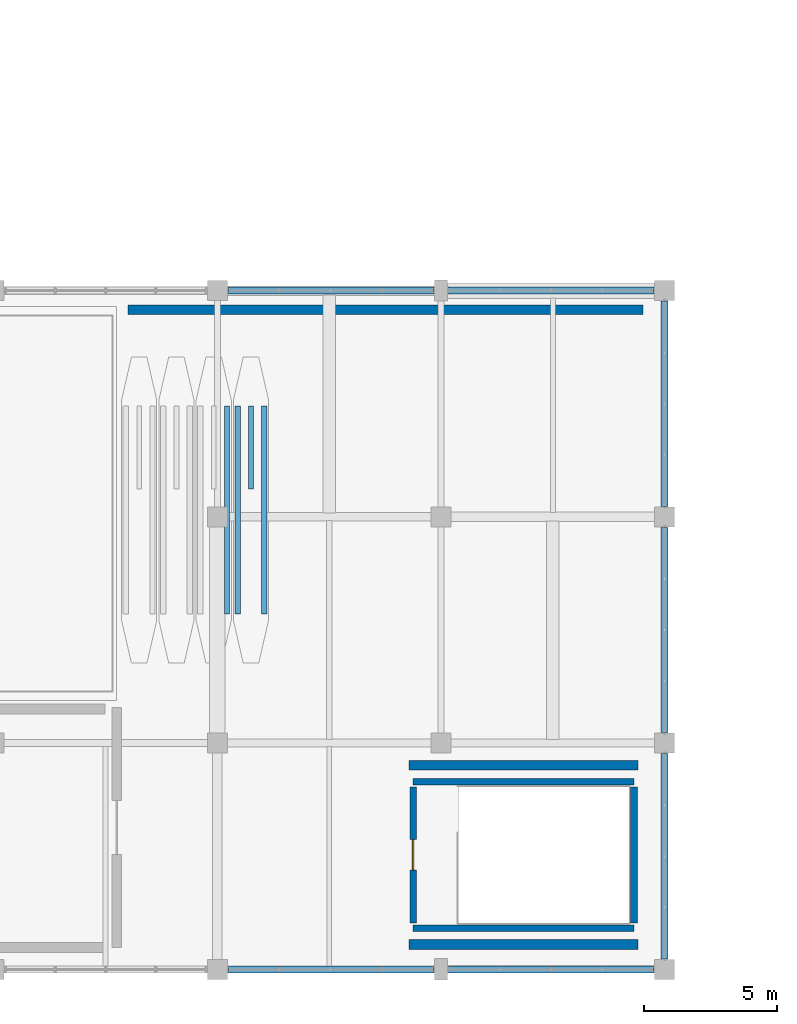
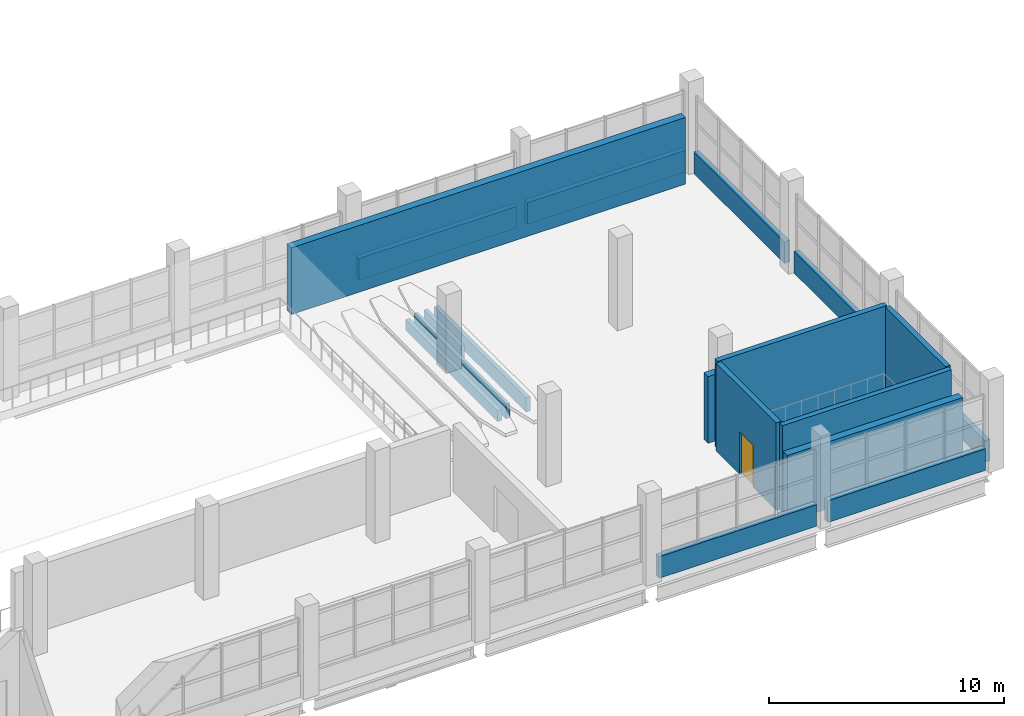
# One storey, part 64 of 77: 18 walls, 1 door, 1 opening.
"""IFC4 building model written with IfcOpenShell, lengths in metres."""

import ifcopenshell
import ifcopenshell.guid

model = None  # the IFC model being written
_history = None  # IfcOwnerHistory: only IFC2X3 demands one
_inside = {}  # id of a spatial element -> (the spatial element, [elements in it])
_under = {}  # id of a project, library or spatial element -> (it, [spatial elements below it])
_declared = {}  # id of a project -> (the project, [libraries it declares])
_typed = {}  # id of a type object -> (the type object, [elements of that type])
_made_of = {}  # id of a material, layer set ... -> (it, [elements and type objects made of it])


def new_model(schema):
    """Start an empty IFC model of exactly this schema.

    Asked for "IFC4X3", IfcOpenShell would pick the latest addendum, in which some entities
    have other attributes; the version numbers below select the first issue.
    IFC2X3 requires an IfcOwnerHistory on every rooted entity: one is made here for all.
    """
    global model, _history
    if schema == "IFC4X3":
        model = ifcopenshell.file(schema_version=(4, 3, 0, 0))
    else:
        model = ifcopenshell.file(schema=schema)
    _inside.clear()
    _under.clear()
    _declared.clear()
    _typed.clear()
    _made_of.clear()
    _history = None
    if model.schema == "IFC2X3":
        org = make("IfcOrganization", Name="unknown")
        user = make(
            "IfcPersonAndOrganization",
            ThePerson=make("IfcPerson", FamilyName="unknown"),
            TheOrganization=org,
        )
        app = make(
            "IfcApplication",
            ApplicationDeveloper=org,
            Version="unknown",
            ApplicationFullName="unknown",
            ApplicationIdentifier="unknown",
        )
        _history = make(
            "IfcOwnerHistory",
            OwningUser=user,
            OwningApplication=app,
            ChangeAction="ADDED",
            CreationDate=0,
        )
    return model


def make(cls, **values):
    """One entity of the class cls with the attributes given. An attribute that is None is left unset."""
    return model.create_entity(
        cls, **{name: value for name, value in values.items() if value is not None}
    )


def rooted(cls, **values):
    """An entity with a GlobalId (a new one), such as an element, a storey or a relation."""
    return make(cls, GlobalId=ifcopenshell.guid.new(), OwnerHistory=_history, **values)


def si_unit(unit_type, name, prefix=None):
    """IfcSIUnit, for example si_unit("LENGTHUNIT", "METRE", prefix="MILLI")."""
    return make("IfcSIUnit", UnitType=unit_type, Prefix=prefix, Name=name)


def assignment(units):
    """IfcUnitAssignment: the units of a project."""
    return None if units is None else make("IfcUnitAssignment", Units=units)


def point(xyz):
    """IfcCartesianPoint."""
    return None if xyz is None else make("IfcCartesianPoint", Coordinates=xyz)


def direction(xyz):
    """IfcDirection."""
    return None if xyz is None else make("IfcDirection", DirectionRatios=xyz)


def frame(location, z_axis=None, x_axis=None):
    """IfcAxis2Placement3D, a coordinate frame: its origin and axes. An axis left out is left unset."""
    return make(
        "IfcAxis2Placement3D",
        Location=point(location),
        Axis=direction(z_axis),
        RefDirection=direction(x_axis),
    )


def frame_2d(location, x_axis=None):
    """IfcAxis2Placement2D, a coordinate frame in the plane: its origin and x axis."""
    return make(
        "IfcAxis2Placement2D", Location=point(location), RefDirection=direction(x_axis)
    )


def origin():
    """The frame at (0, 0, 0) with its axes left unset."""
    return frame((0.0, 0.0, 0.0))


def place(relative_to, where):
    """IfcLocalPlacement: puts the frame where relative to a parent placement (None: the world)."""
    return make(
        "IfcLocalPlacement", PlacementRelTo=relative_to, RelativePlacement=where
    )


def context(
    kind, dimensions, precision=None, world=None, true_north=None, identifier=None
):
    """IfcGeometricRepresentationContext, for example the 3D "Model" context."""
    return make(
        "IfcGeometricRepresentationContext",
        ContextIdentifier=identifier,
        ContextType=kind,
        CoordinateSpaceDimension=dimensions,
        Precision=precision,
        WorldCoordinateSystem=world,
        TrueNorth=true_north,
    )


def subcontext(parent, identifier, kind, view, scale=None):
    """IfcGeometricRepresentationSubContext, for example "Body" below "Model"."""
    return make(
        "IfcGeometricRepresentationSubContext",
        ContextIdentifier=identifier,
        ContextType=kind,
        ParentContext=parent,
        TargetScale=scale,
        TargetView=view,
    )


def project(units=None, contexts=None):
    """IfcProject with its units and contexts."""
    return rooted(
        "IfcProject",
        Name="project",
        RepresentationContexts=contexts,
        UnitsInContext=assignment(units),
    )


def spatial(cls, under=None, at=None, **own):
    """A site, building, storey or space (cls), placed at a placement, below another one or the project."""
    s = rooted(cls, ObjectPlacement=at, **own)
    if under is not None:
        _under.setdefault(under.id(), (under, []))[1].append(s)
    return s


def profile(cls, at=None, kind="AREA", **sizes):
    """A parametric profile (cls). Its sizes go by their IFC names, for example OverallWidth=200.0."""
    return make(cls, ProfileType=kind, Position=at, **sizes)


def rectangle(**sizes):
    """IfcRectangleProfileDef."""
    return profile("IfcRectangleProfileDef", **sizes)


def extrude(swept, where, along, depth):
    """IfcExtrudedAreaSolid: the profile swept, set in the frame where, extruded along a direction by depth."""
    return make(
        "IfcExtrudedAreaSolid",
        SweptArea=swept,
        Position=where,
        ExtrudedDirection=direction(along),
        Depth=depth,
    )


def shape(context_of_items, identifier, shape_type, items):
    """IfcShapeRepresentation: the items that make up one representation, for example the "Body"."""
    return make(
        "IfcShapeRepresentation",
        ContextOfItems=context_of_items,
        RepresentationIdentifier=identifier,
        RepresentationType=shape_type,
        Items=items,
    )


def material(Name=None, Category=None):
    """IfcMaterial."""
    return make("IfcMaterial", Name=Name, Category=Category)


def layer(
    of_material, thickness, ventilated=None, Name=None, Category=None, Priority=None
):
    """IfcMaterialLayer: one layer of a wall or slab, of a material (None: an air gap)."""
    return make(
        "IfcMaterialLayer",
        Material=of_material,
        LayerThickness=thickness,
        IsVentilated=ventilated,
        Name=Name,
        Category=Category,
        Priority=Priority,
    )


def layer_set(layers, Name=None):
    """IfcMaterialLayerSet."""
    return make("IfcMaterialLayerSet", MaterialLayers=layers, LayerSetName=Name)


def made_of(thing, what):
    """Note that an element or type object is made of a material, layer set ...; save() writes the relation."""
    if what is not None:
        _made_of.setdefault(what.id(), (what, []))[1].append(thing)
    return thing


def type_object(cls, material=None, **own):
    """A type object (cls), such as IfcWallType, which elements share."""
    return made_of(rooted(cls, **own), material)


def element(
    cls,
    number,
    at=None,
    inside=None,
    cuts=None,
    type_object=None,
    material=None,
    context=None,
    identifier="Body",
    shape_type=None,
    held_by="IfcProductDefinitionShape",
    body=None,
    shapes=None,
    **own,
):
    """One element of the class cls, such as IfcWall. Its Tag is "e" and its number.

    at: its placement. inside: the storey or other place that contains it. cuts: it is an
    opening in that element (IfcRelVoidsElement). A single representation is given by context,
    identifier, shape_type and body (its items); several are given by shapes. held_by: the class
    of the entity that holds the representations. save() writes the other relations.
    """
    e = rooted(cls, Tag="e%d" % number, ObjectPlacement=at, **own)
    if body is not None:
        shapes = [shape(context, identifier, shape_type, body)]
    if shapes is not None:
        e.Representation = make(held_by, Representations=shapes)
    if inside is not None:
        _inside.setdefault(inside.id(), (inside, []))[1].append(e)
    if cuts is not None:
        rooted(
            "IfcRelVoidsElement", RelatingBuildingElement=cuts, RelatedOpeningElement=e
        )
    if type_object is not None:
        _typed.setdefault(type_object.id(), (type_object, []))[1].append(e)
    return made_of(e, material)


def fill(opening, filler):
    """IfcRelFillsElement: the door or window that sits in an opening."""
    return rooted(
        "IfcRelFillsElement",
        RelatingOpeningElement=opening,
        RelatedBuildingElement=filler,
    )


def aggregate(whole, parts):
    """IfcRelAggregates: a whole, such as a stair, and the parts it consists of."""
    return rooted("IfcRelAggregates", RelatingObject=whole, RelatedObjects=parts)


def save(model, path):
    """Write the relations noted so far, then the file.

    IfcRelAggregates (storeys below a building ...), IfcRelContainedInSpatialStructure (elements
    in a storey), IfcRelDefinesByType, IfcRelAssociatesMaterial and IfcRelDeclares: one each for
    every whole, place, type object, material and project.
    """
    for whole, parts in _under.values():
        aggregate(whole, parts)
    for where, things in _inside.values():
        rooted(
            "IfcRelContainedInSpatialStructure",
            RelatedElements=things,
            RelatingStructure=where,
        )
    for kind, things in _typed.values():
        rooted("IfcRelDefinesByType", RelatedObjects=things, RelatingType=kind)
    for what, things in _made_of.values():
        rooted("IfcRelAssociatesMaterial", RelatedObjects=things, RelatingMaterial=what)
    for by, libraries in _declared.values():
        rooted("IfcRelDeclares", RelatingContext=by, RelatedDefinitions=libraries)
    model.write(path)


model = new_model("IFC4")

# Units and contexts
model_context = context("Model", 3, precision=1e-05, world=origin(), true_north=direction((0.0, 1.0)))
body_context = subcontext(model_context, "Body", "Model", "MODEL_VIEW")
ifc_project = project(units=[si_unit("LENGTHUNIT", "METRE"), si_unit("AREAUNIT", "SQUARE_METRE"), si_unit("VOLUMEUNIT", "CUBIC_METRE"), si_unit("PLANEANGLEUNIT", "RADIAN"), si_unit("MASSUNIT", "GRAM", prefix="KILO")], contexts=[model_context])

# Site, building, storey
site_placement = place(None, origin())
site = spatial("IfcSite", under=ifc_project, at=site_placement, CompositionType="ELEMENT")
building_placement = place(site_placement, origin())
building = spatial("IfcBuilding", under=site, at=building_placement, Name="Solvento Point Concert Hall", CompositionType="ELEMENT")
storey_placement = place(building_placement, frame((0.0, 0.0, 10.199951171875)))
storey = spatial("IfcBuildingStorey", under=building, at=storey_placement, Name="L02", CompositionType="ELEMENT", Elevation=10.199951171875)

# Walls
ifc_material_1 = material(Name="Acoustic Double-Stud Gypsum Partition")
ifc_layer_1 = layer(ifc_material_1, 0.364990234375)
ifc_layer_set_1 = layer_set([ifc_layer_1], Name="Acoustic Double-Stud Gypsum Partition")
wall_type_1 = type_object("IfcWallType", Name="AcousticPartition_365", PredefinedType="PARTITIONING", material=ifc_layer_set_1)
wall_1_placement = place(storey_placement, frame((188.64111328125, 24.780029296875, 0.0), z_axis=(0.0, 0.0, 1.0), x_axis=(1.0, 0.0, 0.0)))
element("IfcWall", 1, at=wall_1_placement, inside=storey, type_object=wall_type_1, Name="Interior acoustic partition PW-43 L02", PredefinedType="PARTITIONING", context=body_context, shape_type="SweptSolid", body=[
    extrude(rectangle(XDim=19.3388671875, YDim=0.364990234375, at=frame_2d((9.66943359375, 0.0))), origin(), (0.0, 0.0, 1.0), 3.4599609375),
])
for number, where, z_axis, x_axis, name in (
    (2, (207.800537109375, 7.669921875, 0.0), (0.0, 0.0, 1.0), (-1.0, 0.0, 0.0), "Interior acoustic partition PW-43 L02"),
    (3, (199.199462890625, 0.929931640625, 0.0), (0.0, 0.0, 1.0), (1.0, 0.0, 0.0), "Interior acoustic partition PW-43 L02"),
):
    element("IfcWall", number, at=place(storey_placement, frame(where, z_axis=z_axis, x_axis=x_axis)), inside=storey, type_object=wall_type_1, Name=name, PredefinedType="PARTITIONING", context=body_context, shape_type="SweptSolid", body=[
        extrude(rectangle(XDim=8.60107421875, YDim=0.364990234375, at=frame_2d((4.300537109375, 0.0))), origin(), (0.0, 0.0, 1.0), 3.4599609375),
    ])
ifc_material_2 = material(Name="Concrete C40/50", Category="concrete")
ifc_layer_2 = layer(ifc_material_2, 0.300048828125)
ifc_layer_set_2 = layer_set([ifc_layer_2], Name="Concrete C40/50")
wall_type_2 = type_object("IfcWallType", Name="CoreShearWall_300", PredefinedType="SHEAR", material=ifc_layer_set_2)
for number, where, z_axis, x_axis, name in (
    (4, (207.64990234375, 1.550048828125, 0.0), (0.0, 0.0, 1.0), (-1.0, 0.0, 0.0), "Stair core shear wall W-SH1 ST-09 L02"),
    (5, (199.35009765625, 7.050048828125, 0.0), (0.0, 0.0, 1.0), (1.0, 0.0, 0.0), "Stair core shear wall W-SH1 ST-09 L02"),
):
    element("IfcWall", number, at=place(storey_placement, frame(where, z_axis=z_axis, x_axis=x_axis)), inside=storey, type_object=wall_type_2, Name=name, PredefinedType="SHEAR", context=body_context, shape_type="SweptSolid", body=[
        extrude(rectangle(XDim=8.2998046875, YDim=0.25, at=frame_2d((4.14990234375, 0.0))), origin(), (0.0, 0.0, 1.0), 4.5400390625),
    ])

# Wall, opening, door
wall_2_placement = place(storey_placement, frame((199.35009765625, 1.75, 0.0), z_axis=(0.0, 0.0, 1.0), x_axis=(0.0, 1.0, 0.0)))
wall_2 = element("IfcWall", 6, at=wall_2_placement, inside=storey, type_object=wall_type_2, Name="Stair core shear wall W-SH1 ST-09 L02", PredefinedType="SHEAR", context=body_context, shape_type="SweptSolid", body=[
    extrude(rectangle(XDim=5.10009765625, YDim=0.25, at=frame_2d((2.550048828125, 0.0))), origin(), (0.0, 0.0, 1.0), 4.5400390625),
])
opening_placement = place(wall_2_placement, frame((1.97509765625, 0.0, 0.0)))
opening = element("IfcOpeningElement", 7, at=opening_placement, cuts=wall_2, Name="Opening D-ST1", PredefinedType="OPENING", context=body_context, shape_type="SweptSolid", body=[
    extrude(rectangle(XDim=1.14990234375, YDim=2.179931640625, at=frame_2d((0.574951171875, 1.08984375))), frame((0.0, 0.135009765625, 0.0), z_axis=(0.0, -1.0, 0.0), x_axis=(1.0, 0.0, 0.0)), (0.0, 0.0, 1.0), 0.27001953125),
])
ifc_material_3 = material(Name="Hollow Metal Acoustic Fire Door")
door_type = type_object("IfcDoorType", Name="StairFireDoor_1150", OperationType="NOTDEFINED", PredefinedType="DOOR", material=ifc_material_3)
door_placement = place(opening_placement, origin())
door = element("IfcDoor", 8, at=door_placement, inside=storey, type_object=door_type, Name="Protected exit stair door ST-09 L02", OperationType="SINGLE_SWING_LEFT", OverallHeight=2.179931640625, OverallWidth=1.14990234375, PredefinedType="DOOR", context=body_context, shape_type="SweptSolid", body=[
    extrude(rectangle(XDim=1.14990234375, YDim=2.179931640625, at=frame_2d((0.574951171875, 1.08984375))), frame((0.0, 0.02490234375, 0.0), z_axis=(0.0, -1.0, 0.0), x_axis=(1.0, 0.0, 0.0)), (0.0, 0.0, 1.0), 0.050048828125),
])
fill(opening, door)

# Walls
wall_3_placement = place(storey_placement, frame((207.64990234375, 6.85009765625, 0.0), z_axis=(0.0, 0.0, 1.0), x_axis=(0.0, -1.0, 0.0)))
element("IfcWall", 9, at=wall_3_placement, inside=storey, type_object=wall_type_2, Name="Stair core shear wall W-SH1 ST-09 L02", PredefinedType="SHEAR", context=body_context, shape_type="SweptSolid", body=[
    extrude(rectangle(XDim=5.10009765625, YDim=0.25, at=frame_2d((2.550048828125, 0.0))), origin(), (0.0, 0.0, 1.0), 4.5400390625),
])
ifc_material_4 = material(Name="Concrete C40/50", Category="concrete")
ifc_layer_3 = layer(ifc_material_4, 0.260009765625)
ifc_layer_set_3 = layer_set([ifc_layer_3], Name="Concrete C40/50")
wall_type_3 = type_object("IfcWallType", Name="Parapet_Ring_260", PredefinedType="PARAPET", material=ifc_layer_set_3)
wall_4_placement = place(storey_placement, frame((192.39501953125, 25.5, 0.0), z_axis=(0.0, 0.0, 1.0), x_axis=(1.0, 0.0, 0.0)))
element("IfcWall", 10, at=wall_4_placement, inside=storey, type_object=wall_type_3, Name="Sliding elliptical white concrete ring spandrel PR-01 L02", PredefinedType="PARAPET", context=body_context, shape_type="SweptSolid", body=[
    extrude(rectangle(XDim=7.73486328125, YDim=0.260009765625, at=frame_2d((3.867431640625, 0.0))), origin(), (0.0, 0.0, 1.0), 1.1201171875),
])
wall_5_placement = place(storey_placement, frame((200.669921875, 25.5, 0.0), z_axis=(0.0, 0.0, 1.0), x_axis=(1.0, 0.0, 0.0)))
element("IfcWall", 11, at=wall_5_placement, inside=storey, type_object=wall_type_3, Name="Sliding elliptical white concrete ring spandrel PR-01 L02", PredefinedType="PARAPET", context=body_context, shape_type="SweptSolid", body=[
    extrude(rectangle(XDim=7.735107421875, YDim=0.260009765625, at=frame_2d((3.86767578125, 0.0))), origin(), (0.0, 0.0, 1.0), 1.1201171875),
])
for number, where, z_axis, x_axis, name in (
    (12, (208.800048828125, 8.10498046875, 0.0), (0.0, 0.0, 1.0), (0.0, -1.0, 0.0), "Sliding elliptical white concrete ring spandrel PR-01 L02"),
    (13, (208.800048828125, 16.60498046875, 0.0), (0.0, 0.0, 1.0), (0.0, -1.0, 0.0), "Sliding elliptical white concrete ring spandrel PR-01 L02"),
    (14, (208.800048828125, 25.10498046875, 0.0), (0.0, 0.0, 1.0), (0.0, -1.0, 0.0), "Sliding elliptical white concrete ring spandrel PR-01 L02"),
):
    element("IfcWall", number, at=place(storey_placement, frame(where, z_axis=z_axis, x_axis=x_axis)), inside=storey, type_object=wall_type_3, Name=name, PredefinedType="PARAPET", context=body_context, shape_type="SweptSolid", body=[
        extrude(rectangle(XDim=7.7099609375, YDim=0.260009765625, at=frame_2d((3.85498046875, 0.0))), origin(), (0.0, 0.0, 1.0), 1.1201171875),
    ])
wall_6_placement = place(storey_placement, frame((200.1298828125, 0.0, 0.0), z_axis=(0.0, 0.0, 1.0), x_axis=(-1.0, 0.0, 0.0)))
element("IfcWall", 15, at=wall_6_placement, inside=storey, type_object=wall_type_3, Name="Sliding elliptical white concrete ring spandrel PR-01 L02", PredefinedType="PARAPET", context=body_context, shape_type="SweptSolid", body=[
    extrude(rectangle(XDim=7.73486328125, YDim=0.260009765625, at=frame_2d((3.867431640625, 0.0))), origin(), (0.0, 0.0, 1.0), 1.1201171875),
])
wall_7_placement = place(storey_placement, frame((208.405029296875, 0.0, 0.0), z_axis=(0.0, 0.0, 1.0), x_axis=(-1.0, 0.0, 0.0)))
element("IfcWall", 16, at=wall_7_placement, inside=storey, type_object=wall_type_3, Name="Sliding elliptical white concrete ring spandrel PR-01 L02", PredefinedType="PARAPET", context=body_context, shape_type="SweptSolid", body=[
    extrude(rectangle(XDim=7.735107421875, YDim=0.260009765625, at=frame_2d((3.86767578125, 0.0))), origin(), (0.0, 0.0, 1.0), 1.1201171875),
])
ifc_material_5 = material(Name="Concrete C35/45", Category="concrete")
ifc_layer_4 = layer(ifc_material_5, 0.25)
ifc_layer_set_4 = layer_set([ifc_layer_4], Name="Concrete C35/45")
wall_type_4 = type_object("IfcWallType", Name="TierSupportWall_250", PredefinedType="SHEAR", material=ifc_layer_set_4)
wall_8_placement = place(storey_placement, frame((192.360107421875, 13.340087890625, 0.0), z_axis=(0.0, 0.0, 1.0), x_axis=(0.0, 1.0, 0.0)))
element("IfcWall", 17, at=wall_8_placement, inside=storey, type_object=wall_type_4, Name="Seating tier rear support wall W-TR1 TIER-L02-CHB-03", PredefinedType="SHEAR", context=body_context, shape_type="SweptSolid", body=[
    extrude(rectangle(XDim=7.81982421875, YDim=0.199951171875, at=frame_2d((3.909912109375, 0.0))), origin(), (0.0, 0.0, 1.0), 0.570068359375),
])
for number, where, z_axis, x_axis, name in (
    (18, (192.760009765625, 13.340087890625, 0.0), (0.0, 0.0, 1.0), (0.0, 1.0, 0.0), "Seating tier riser support wall W-TR1 TIER-L02-CHB-04"),
    (19, (193.760009765625, 13.340087890625, 0.0), (0.0, 0.0, 1.0), (0.0, 1.0, 0.0), "Seating tier rear support wall W-TR1 TIER-L02-CHB-04"),
):
    element("IfcWall", number, at=place(storey_placement, frame(where, z_axis=z_axis, x_axis=x_axis)), inside=storey, type_object=wall_type_4, Name=name, PredefinedType="SHEAR", context=body_context, shape_type="SweptSolid", body=[
        extrude(rectangle(XDim=7.81982421875, YDim=0.199951171875, at=frame_2d((3.909912109375, 0.0))), origin(), (0.0, 0.0, 1.0), 0.75),
    ])
wall_9_placement = place(storey_placement, frame((193.260009765625, 18.050048828125, 0.0), z_axis=(0.0, 0.0, 1.0), x_axis=(0.0, 1.0, 0.0)))
element("IfcWall", 20, at=wall_9_placement, inside=storey, type_object=wall_type_4, Name="Seating tier spine support wall W-TR1 TIER-L02-CHB-04", PredefinedType="SHEAR", context=body_context, shape_type="SweptSolid", body=[
    extrude(rectangle(XDim=3.10986328125, YDim=0.179931640625, at=frame_2d((1.554931640625, 0.0))), origin(), (0.0, 0.0, 1.0), 0.75),
])

save(model, "model.ifc")
